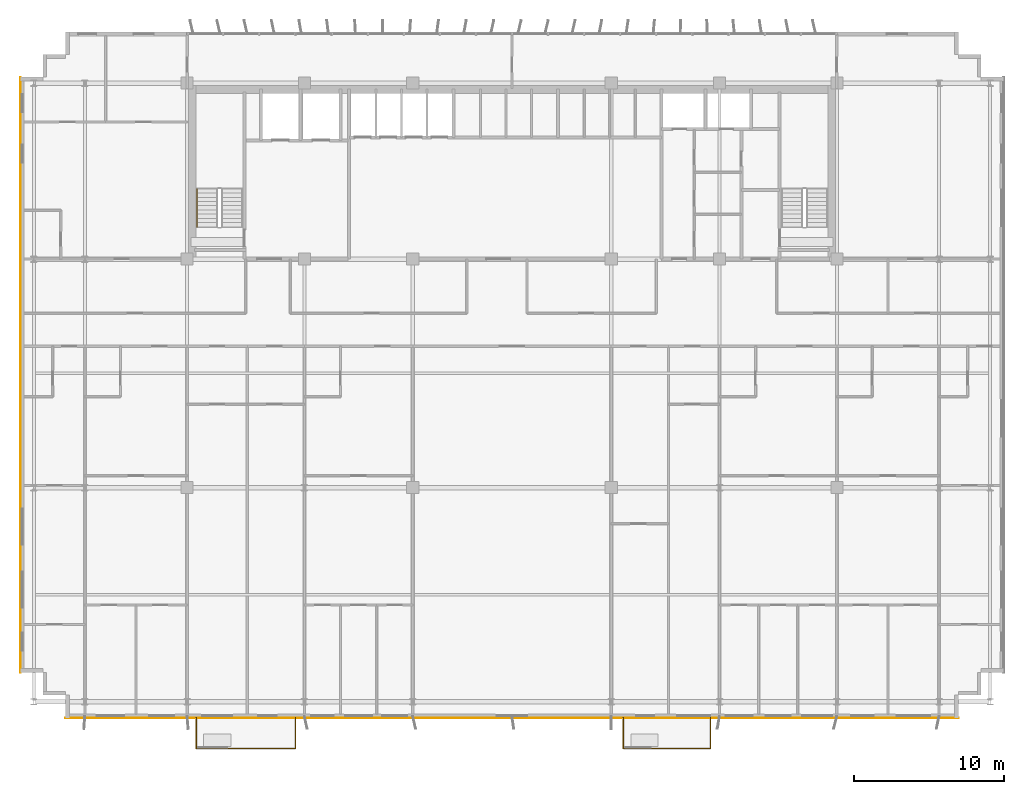
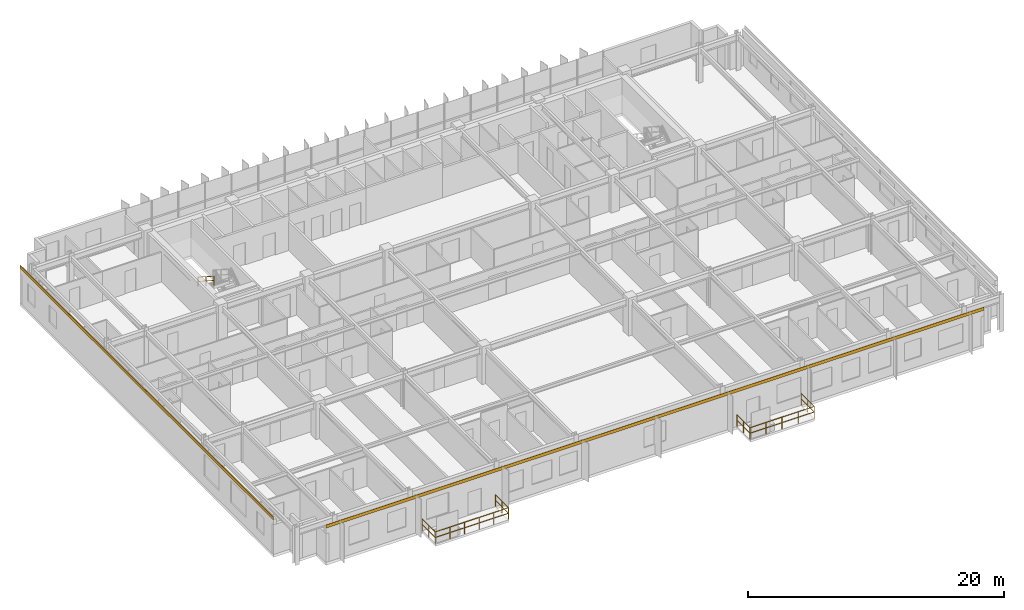
# One storey, part 20 of 22: 7 railings, 2 coverings.
"""IFC4 building model written with IfcOpenShell, lengths in metres."""

from ifc_helpers import new_model, si_unit, direction, frame, origin, origin_2d, place, context, subcontext, project, spatial, rectangle, extrude, source, transform, mapped, material, layer, layer_set, type_object, element, save


model = new_model("IFC4")

# Units and contexts
model_context = context("Model", 3, precision=1e-05, world=origin(), true_north=direction((0.0, 1.0)))
body_context = subcontext(model_context, "Body", "Model", "MODEL_VIEW")
ifc_project = project(units=[si_unit("LENGTHUNIT", "METRE"), si_unit("AREAUNIT", "SQUARE_METRE"), si_unit("VOLUMEUNIT", "CUBIC_METRE"), si_unit("PLANEANGLEUNIT", "RADIAN"), si_unit("MASSUNIT", "GRAM", prefix="KILO")], contexts=[model_context])

# Site, building, storey
site_placement = place(None, origin())
site = spatial("IfcSite", under=ifc_project, at=site_placement, CompositionType="ELEMENT")
building_placement = place(site_placement, origin())
building = spatial("IfcBuilding", under=site, at=building_placement, Name="Trelvane Seafront Commons", CompositionType="ELEMENT")
storey_placement = place(building_placement, frame((0.0, 0.0, 99.699951171875)))
storey = spatial("IfcBuildingStorey", under=building, at=storey_placement, Name="L25", CompositionType="ELEMENT", Elevation=99.699951171875)

# Railings
ifc_material_1 = material(Name="Stainless steel balustrade", Category="steel")
railing_type_1 = type_object("IfcRailingType", Name="ARCH-RAIL-BAL1150", PredefinedType="BALUSTRADE", material=ifc_material_1)
railing_1_placement = place(storey_placement, frame((16.199951171875, 2.89990234375, 0.0)))
element("IfcRailing", 1, at=railing_1_placement, inside=storey, type_object=railing_type_1, Name="RL-L25-BAL0-01", PredefinedType="BALUSTRADE", context=body_context, shape_type="SweptSolid", body=[
    extrude(rectangle(XDim=0.048095703125, YDim=0.048095703125, at=origin_2d()), frame((0.0, 0.0, 1.1259765625), z_axis=(0.0, -1.0, 0.0), x_axis=(1.0, 0.0, 0.0)), (0.0, 0.0, 1.0), 2.039794921875),
    extrude(rectangle(XDim=0.048095703125, YDim=0.048095703125, at=origin_2d()), frame((0.0, 0.0, 0.597900390625), z_axis=(0.0, -1.0, 0.0), x_axis=(1.0, 0.0, 0.0)), (0.0, 0.0, 1.0), 2.039794921875),
    extrude(rectangle(XDim=0.0419921875, YDim=0.0419921875, at=origin_2d()), origin(), (0.0, 0.0, 1.0), 1.1259765625),
    extrude(rectangle(XDim=0.0419921875, YDim=0.0419921875, at=origin_2d()), frame((0.0, -1.02001953125, 0.0)), (0.0, 0.0, 1.0), 1.1259765625),
    extrude(rectangle(XDim=0.0419921875, YDim=0.0419921875, at=origin_2d()), frame((0.0, -2.039794921875, 0.0)), (0.0, 0.0, 1.0), 1.1259765625),
])
railing_2_placement = place(storey_placement, frame((16.199951171875, 0.860107421875, 0.0)))
element("IfcRailing", 2, at=railing_2_placement, inside=storey, type_object=railing_type_1, Name="RL-L25-BAL0-02", PredefinedType="BALUSTRADE", context=body_context, shape_type="SweptSolid", body=[
    extrude(rectangle(XDim=0.048095703125, YDim=0.048095703125, at=origin_2d()), frame((0.0, 0.0, 1.1259765625), z_axis=(1.0, 0.0, 0.0), x_axis=(0.0, 1.0, 0.0)), (0.0, 0.0, 1.0), 6.60009765625),
    extrude(rectangle(XDim=0.048095703125, YDim=0.048095703125, at=origin_2d()), frame((0.0, 0.0, 0.597900390625), z_axis=(1.0, 0.0, 0.0), x_axis=(0.0, 1.0, 0.0)), (0.0, 0.0, 1.0), 6.60009765625),
    extrude(rectangle(XDim=0.0419921875, YDim=0.0419921875, at=origin_2d()), origin(), (0.0, 0.0, 1.0), 1.1259765625),
    extrude(rectangle(XDim=0.0419921875, YDim=0.0419921875, at=origin_2d()), frame((1.320068359375, 0.0, 0.0)), (0.0, 0.0, 1.0), 1.1259765625),
    extrude(rectangle(XDim=0.0419921875, YDim=0.0419921875, at=origin_2d()), frame((2.64013671875, 0.0, 0.0)), (0.0, 0.0, 1.0), 1.1259765625),
    extrude(rectangle(XDim=0.0419921875, YDim=0.0419921875, at=origin_2d()), frame((3.9599609375, 0.0, 0.0)), (0.0, 0.0, 1.0), 1.1259765625),
    extrude(rectangle(XDim=0.0419921875, YDim=0.0419921875, at=origin_2d()), frame((5.280029296875, 0.0, 0.0)), (0.0, 0.0, 1.0), 1.1259765625),
    extrude(rectangle(XDim=0.0419921875, YDim=0.0419921875, at=origin_2d()), frame((6.60009765625, 0.0, 0.0)), (0.0, 0.0, 1.0), 1.1259765625),
])
railing_3_placement = place(storey_placement, frame((22.800048828125, 0.860107421875, 0.0)))
element("IfcRailing", 3, at=railing_3_placement, inside=storey, type_object=railing_type_1, Name="RL-L25-BAL0-03", PredefinedType="BALUSTRADE", context=body_context, shape_type="SweptSolid", body=[
    extrude(rectangle(XDim=0.048095703125, YDim=0.048095703125, at=origin_2d()), frame((0.0, 0.0, 1.1259765625), z_axis=(0.0, 1.0, 0.0), x_axis=(-1.0, 0.0, 0.0)), (0.0, 0.0, 1.0), 2.039794921875),
    extrude(rectangle(XDim=0.048095703125, YDim=0.048095703125, at=origin_2d()), frame((0.0, 0.0, 0.597900390625), z_axis=(0.0, 1.0, 0.0), x_axis=(-1.0, 0.0, 0.0)), (0.0, 0.0, 1.0), 2.039794921875),
    extrude(rectangle(XDim=0.0419921875, YDim=0.0419921875, at=origin_2d()), origin(), (0.0, 0.0, 1.0), 1.1259765625),
    extrude(rectangle(XDim=0.0419921875, YDim=0.0419921875, at=origin_2d()), frame((0.0, 1.02001953125, 0.0)), (0.0, 0.0, 1.0), 1.1259765625),
    extrude(rectangle(XDim=0.0419921875, YDim=0.0419921875, at=origin_2d()), frame((0.0, 2.039794921875, 0.0)), (0.0, 0.0, 1.0), 1.1259765625),
])
railing_4_placement = place(storey_placement, frame((44.60009765625, 2.89990234375, 0.0)))
element("IfcRailing", 4, at=railing_4_placement, inside=storey, type_object=railing_type_1, Name="RL-L25-BAL1-01", PredefinedType="BALUSTRADE", context=body_context, shape_type="SweptSolid", body=[
    extrude(rectangle(XDim=0.048095703125, YDim=0.048095703125, at=origin_2d()), frame((0.0, 0.0, 1.1259765625), z_axis=(0.0, -1.0, 0.0), x_axis=(1.0, 0.0, 0.0)), (0.0, 0.0, 1.0), 2.039794921875),
    extrude(rectangle(XDim=0.048095703125, YDim=0.048095703125, at=origin_2d()), frame((0.0, 0.0, 0.597900390625), z_axis=(0.0, -1.0, 0.0), x_axis=(1.0, 0.0, 0.0)), (0.0, 0.0, 1.0), 2.039794921875),
    extrude(rectangle(XDim=0.0419921875, YDim=0.0419921875, at=origin_2d()), origin(), (0.0, 0.0, 1.0), 1.1259765625),
    extrude(rectangle(XDim=0.0419921875, YDim=0.0419921875, at=origin_2d()), frame((0.0, -1.02001953125, 0.0)), (0.0, 0.0, 1.0), 1.1259765625),
    extrude(rectangle(XDim=0.0419921875, YDim=0.0419921875, at=origin_2d()), frame((0.0, -2.039794921875, 0.0)), (0.0, 0.0, 1.0), 1.1259765625),
])
railing_5_placement = place(storey_placement, frame((44.60009765625, 0.860107421875, 0.0)))
element("IfcRailing", 5, at=railing_5_placement, inside=storey, type_object=railing_type_1, Name="RL-L25-BAL1-02", PredefinedType="BALUSTRADE", context=body_context, shape_type="SweptSolid", body=[
    extrude(rectangle(XDim=0.048095703125, YDim=0.048095703125, at=origin_2d()), frame((0.0, 0.0, 1.1259765625), z_axis=(1.0, 0.0, 0.0), x_axis=(0.0, 1.0, 0.0)), (0.0, 0.0, 1.0), 5.7998046875),
    extrude(rectangle(XDim=0.048095703125, YDim=0.048095703125, at=origin_2d()), frame((0.0, 0.0, 0.597900390625), z_axis=(1.0, 0.0, 0.0), x_axis=(0.0, 1.0, 0.0)), (0.0, 0.0, 1.0), 5.7998046875),
    extrude(rectangle(XDim=0.0419921875, YDim=0.0419921875, at=origin_2d()), origin(), (0.0, 0.0, 1.0), 1.1259765625),
    extrude(rectangle(XDim=0.0419921875, YDim=0.0419921875, at=origin_2d()), frame((1.449951171875, 0.0, 0.0)), (0.0, 0.0, 1.0), 1.1259765625),
    extrude(rectangle(XDim=0.0419921875, YDim=0.0419921875, at=origin_2d()), frame((2.89990234375, 0.0, 0.0)), (0.0, 0.0, 1.0), 1.1259765625),
    extrude(rectangle(XDim=0.0419921875, YDim=0.0419921875, at=origin_2d()), frame((4.349853515625, 0.0, 0.0)), (0.0, 0.0, 1.0), 1.1259765625),
    extrude(rectangle(XDim=0.0419921875, YDim=0.0419921875, at=origin_2d()), frame((5.7998046875, 0.0, 0.0)), (0.0, 0.0, 1.0), 1.1259765625),
])
railing_6_placement = place(storey_placement, frame((50.39990234375, 0.860107421875, 0.0)))
element("IfcRailing", 6, at=railing_6_placement, inside=storey, type_object=railing_type_1, Name="RL-L25-BAL1-03", PredefinedType="BALUSTRADE", context=body_context, shape_type="SweptSolid", body=[
    extrude(rectangle(XDim=0.048095703125, YDim=0.048095703125, at=origin_2d()), frame((0.0, 0.0, 1.1259765625), z_axis=(0.0, 1.0, 0.0), x_axis=(-1.0, 0.0, 0.0)), (0.0, 0.0, 1.0), 2.039794921875),
    extrude(rectangle(XDim=0.048095703125, YDim=0.048095703125, at=origin_2d()), frame((0.0, 0.0, 0.597900390625), z_axis=(0.0, 1.0, 0.0), x_axis=(-1.0, 0.0, 0.0)), (0.0, 0.0, 1.0), 2.039794921875),
    extrude(rectangle(XDim=0.0419921875, YDim=0.0419921875, at=origin_2d()), origin(), (0.0, 0.0, 1.0), 1.1259765625),
    extrude(rectangle(XDim=0.0419921875, YDim=0.0419921875, at=origin_2d()), frame((0.0, 1.02001953125, 0.0)), (0.0, 0.0, 1.0), 1.1259765625),
    extrude(rectangle(XDim=0.0419921875, YDim=0.0419921875, at=origin_2d()), frame((0.0, 2.039794921875, 0.0)), (0.0, 0.0, 1.0), 1.1259765625),
])
railing_type_2 = type_object("IfcRailingType", Name="ARCH-SRL-HAND", PredefinedType="HANDRAIL", material=ifc_material_1)
railing_7_placement = place(storey_placement, frame((16.25, 38.070068359375, 1.97998046875)))
element("IfcRailing", 7, at=railing_7_placement, inside=storey, type_object=railing_type_2, Name="L25 ST-1 stair handrail 2", PredefinedType="HANDRAIL", context=body_context, shape_type="SweptSolid", body=[
    extrude(rectangle(XDim=0.048095703125, YDim=0.048095703125, at=origin_2d()), frame((0.0, 0.0, 0.8759765625), z_axis=(0.0, -0.841162588446, 0.540782303519), x_axis=(1.0, 0.0, 0.0)), (0.0, 0.0, 1.0), 2.995849609375),
    extrude(rectangle(XDim=0.048095703125, YDim=0.048095703125, at=origin_2d()), frame((0.0, 0.0, 0.468017578125), z_axis=(0.0, -0.841162588446, 0.540782303519), x_axis=(1.0, 0.0, 0.0)), (0.0, 0.0, 1.0), 2.995849609375),
    extrude(rectangle(XDim=0.0419921875, YDim=0.0419921875, at=origin_2d()), origin(), (0.0, 0.0, 1.0), 0.8759765625),
    extrude(rectangle(XDim=0.0419921875, YDim=0.0419921875, at=origin_2d()), frame((0.0, -1.260009765625, 0.81005859375)), (0.0, 0.0, 1.0), 0.8759765625),
    extrude(rectangle(XDim=0.0419921875, YDim=0.0419921875, at=origin_2d()), frame((0.0, -2.52001953125, 1.6201171875)), (0.0, 0.0, 1.0), 0.8759765625),
])

# Coverings
ifc_material_2 = material(Name="Anodised pale-silver aluminium", Category="aluminium")
ifc_layer = layer(ifc_material_2, 0.034912109375, Name="ARCH-COV-CLAD35")
ifc_layer_set = layer_set([ifc_layer], Name="Anodised pale-silver aluminium")
covering_type = type_object("IfcCoveringType", Name="ARCH-COV-CLAD35", PredefinedType="CLADDING", material=ifc_layer_set)
shared_shape_1 = source(origin(), body_context, "Body", "SweptSolid", [
    extrude(rectangle(XDim=39.60009765625, YDim=0.034912109375, at=origin_2d()), origin(), (0.0, 0.0, 1.0), 0.300048828125),
])
covering_1_placement = place(storey_placement, frame((4.5, 25.699951171875, 3.2998046875), z_axis=(0.0, 0.0, 1.0), x_axis=(0.0, 1.0, 0.0)))
element("IfcCovering", 8, at=covering_1_placement, inside=storey, type_object=covering_type, Name="CLD-L25-00106", PredefinedType="CLADDING", context=body_context, shape_type="MappedRepresentation", body=[
    mapped(shared_shape_1, transform((0.0, 0.0, 0.0), x_axis=(1.0, 0.0, 0.0), y_axis=(0.0, 1.0, 0.0), z_axis=(0.0, 0.0, 1.0), scale=1.0)),
])
shared_shape_2 = source(origin(), body_context, "Body", "SweptSolid", [
    extrude(rectangle(XDim=59.39990234375, YDim=0.034912109375, at=origin_2d()), origin(), (0.0, 0.0, 1.0), 0.300048828125),
])
covering_2_placement = place(storey_placement, frame((37.199951171875, 2.89990234375, 3.2998046875), z_axis=(0.0, 0.0, 1.0), x_axis=(-1.0, 0.0, 0.0)))
element("IfcCovering", 9, at=covering_2_placement, inside=storey, type_object=covering_type, Name="CLD-L25-00108", PredefinedType="CLADDING", context=body_context, shape_type="MappedRepresentation", body=[
    mapped(shared_shape_2, transform((0.0, 0.0, 0.0), x_axis=(1.0, 0.0, 0.0), y_axis=(0.0, 1.0, 0.0), z_axis=(0.0, 0.0, 1.0), scale=1.0)),
])

save(model, "model.ifc")
